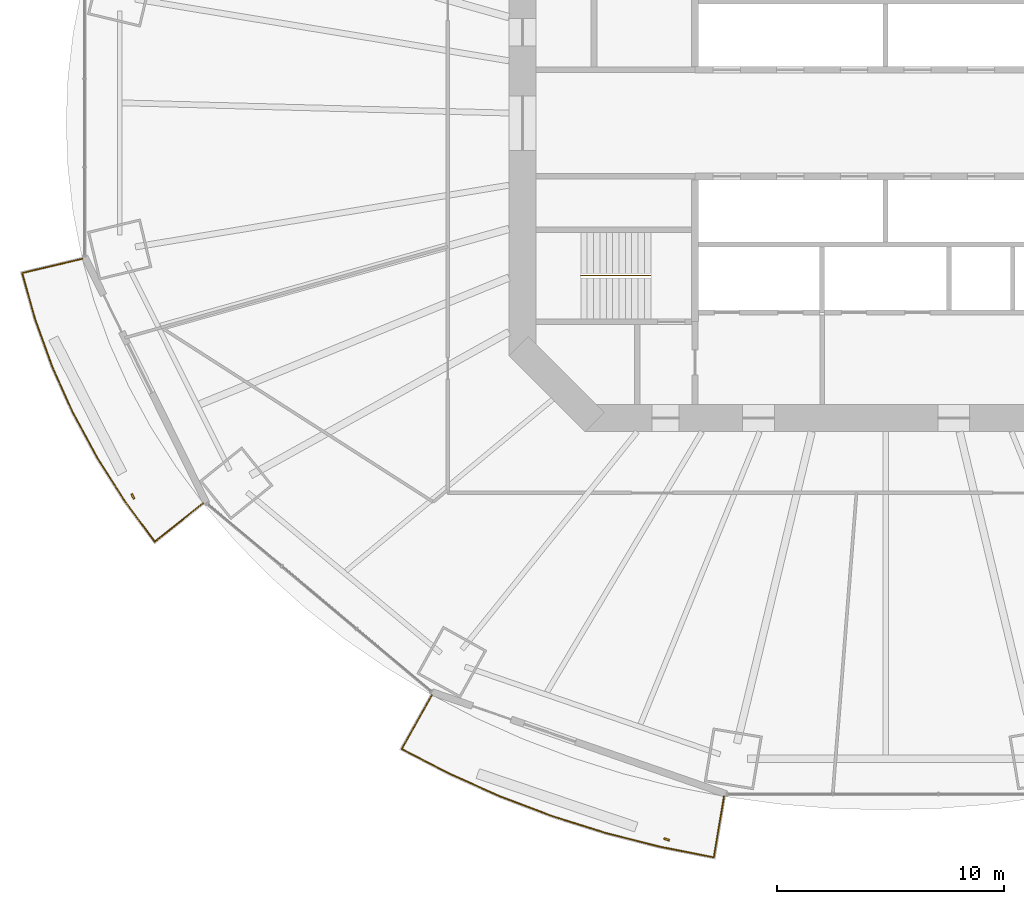
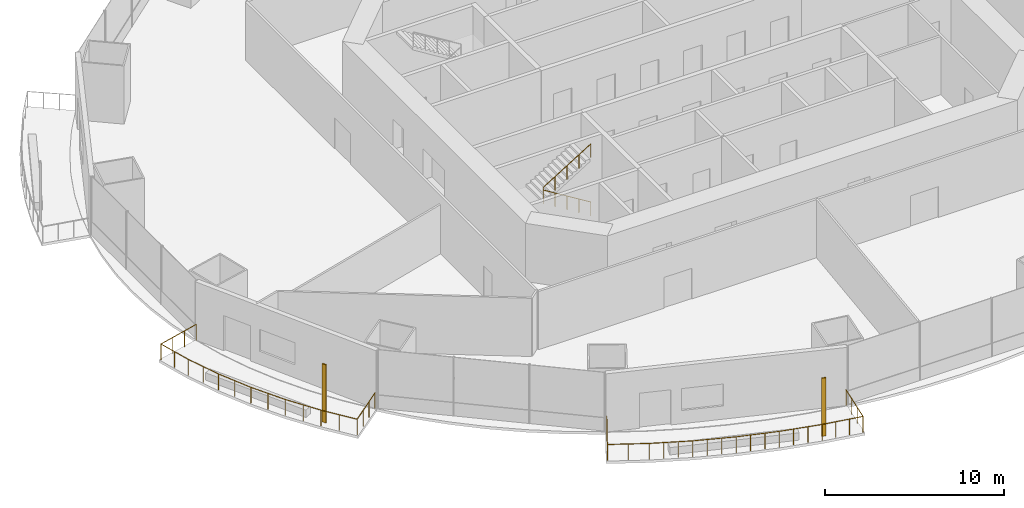
# One storey, part 18 of 23: 3 railings, 2 shading devices.
"""IFC4 building model written with IfcOpenShell, lengths in metres."""

import ifcopenshell
import ifcopenshell.guid

model = None  # the IFC model being written
_history = None  # IfcOwnerHistory: only IFC2X3 demands one
_inside = {}  # id of a spatial element -> (the spatial element, [elements in it])
_under = {}  # id of a project, library or spatial element -> (it, [spatial elements below it])
_declared = {}  # id of a project -> (the project, [libraries it declares])
_typed = {}  # id of a type object -> (the type object, [elements of that type])
_made_of = {}  # id of a material, layer set ... -> (it, [elements and type objects made of it])


def new_model(schema):
    """Start an empty IFC model of exactly this schema.

    Asked for "IFC4X3", IfcOpenShell would pick the latest addendum, in which some entities
    have other attributes; the version numbers below select the first issue.
    IFC2X3 requires an IfcOwnerHistory on every rooted entity: one is made here for all.
    """
    global model, _history
    if schema == "IFC4X3":
        model = ifcopenshell.file(schema_version=(4, 3, 0, 0))
    else:
        model = ifcopenshell.file(schema=schema)
    _inside.clear()
    _under.clear()
    _declared.clear()
    _typed.clear()
    _made_of.clear()
    _history = None
    if model.schema == "IFC2X3":
        org = make("IfcOrganization", Name="unknown")
        user = make(
            "IfcPersonAndOrganization",
            ThePerson=make("IfcPerson", FamilyName="unknown"),
            TheOrganization=org,
        )
        app = make(
            "IfcApplication",
            ApplicationDeveloper=org,
            Version="unknown",
            ApplicationFullName="unknown",
            ApplicationIdentifier="unknown",
        )
        _history = make(
            "IfcOwnerHistory",
            OwningUser=user,
            OwningApplication=app,
            ChangeAction="ADDED",
            CreationDate=0,
        )
    return model


def make(cls, **values):
    """One entity of the class cls with the attributes given. An attribute that is None is left unset."""
    return model.create_entity(
        cls, **{name: value for name, value in values.items() if value is not None}
    )


def rooted(cls, **values):
    """An entity with a GlobalId (a new one), such as an element, a storey or a relation."""
    return make(cls, GlobalId=ifcopenshell.guid.new(), OwnerHistory=_history, **values)


def si_unit(unit_type, name, prefix=None):
    """IfcSIUnit, for example si_unit("LENGTHUNIT", "METRE", prefix="MILLI")."""
    return make("IfcSIUnit", UnitType=unit_type, Prefix=prefix, Name=name)


def assignment(units):
    """IfcUnitAssignment: the units of a project."""
    return None if units is None else make("IfcUnitAssignment", Units=units)


def point(xyz):
    """IfcCartesianPoint."""
    return None if xyz is None else make("IfcCartesianPoint", Coordinates=xyz)


def direction(xyz):
    """IfcDirection."""
    return None if xyz is None else make("IfcDirection", DirectionRatios=xyz)


def frame(location, z_axis=None, x_axis=None):
    """IfcAxis2Placement3D, a coordinate frame: its origin and axes. An axis left out is left unset."""
    return make(
        "IfcAxis2Placement3D",
        Location=point(location),
        Axis=direction(z_axis),
        RefDirection=direction(x_axis),
    )


def frame_2d(location, x_axis=None):
    """IfcAxis2Placement2D, a coordinate frame in the plane: its origin and x axis."""
    return make(
        "IfcAxis2Placement2D", Location=point(location), RefDirection=direction(x_axis)
    )


def origin():
    """The frame at (0, 0, 0) with its axes left unset."""
    return frame((0.0, 0.0, 0.0))


def origin_2d():
    """The frame at (0, 0) in the plane with its x axis left unset."""
    return frame_2d((0.0, 0.0))


def place(relative_to, where):
    """IfcLocalPlacement: puts the frame where relative to a parent placement (None: the world)."""
    return make(
        "IfcLocalPlacement", PlacementRelTo=relative_to, RelativePlacement=where
    )


def context(
    kind, dimensions, precision=None, world=None, true_north=None, identifier=None
):
    """IfcGeometricRepresentationContext, for example the 3D "Model" context."""
    return make(
        "IfcGeometricRepresentationContext",
        ContextIdentifier=identifier,
        ContextType=kind,
        CoordinateSpaceDimension=dimensions,
        Precision=precision,
        WorldCoordinateSystem=world,
        TrueNorth=true_north,
    )


def subcontext(parent, identifier, kind, view, scale=None):
    """IfcGeometricRepresentationSubContext, for example "Body" below "Model"."""
    return make(
        "IfcGeometricRepresentationSubContext",
        ContextIdentifier=identifier,
        ContextType=kind,
        ParentContext=parent,
        TargetScale=scale,
        TargetView=view,
    )


def project(units=None, contexts=None):
    """IfcProject with its units and contexts."""
    return rooted(
        "IfcProject",
        Name="project",
        RepresentationContexts=contexts,
        UnitsInContext=assignment(units),
    )


def spatial(cls, under=None, at=None, **own):
    """A site, building, storey or space (cls), placed at a placement, below another one or the project."""
    s = rooted(cls, ObjectPlacement=at, **own)
    if under is not None:
        _under.setdefault(under.id(), (under, []))[1].append(s)
    return s


def profile(cls, at=None, kind="AREA", **sizes):
    """A parametric profile (cls). Its sizes go by their IFC names, for example OverallWidth=200.0."""
    return make(cls, ProfileType=kind, Position=at, **sizes)


def rectangle(**sizes):
    """IfcRectangleProfileDef."""
    return profile("IfcRectangleProfileDef", **sizes)


def circle(**sizes):
    """IfcCircleProfileDef."""
    return profile("IfcCircleProfileDef", **sizes)


def extrude(swept, where, along, depth):
    """IfcExtrudedAreaSolid: the profile swept, set in the frame where, extruded along a direction by depth."""
    return make(
        "IfcExtrudedAreaSolid",
        SweptArea=swept,
        Position=where,
        ExtrudedDirection=direction(along),
        Depth=depth,
    )


def shape(context_of_items, identifier, shape_type, items):
    """IfcShapeRepresentation: the items that make up one representation, for example the "Body"."""
    return make(
        "IfcShapeRepresentation",
        ContextOfItems=context_of_items,
        RepresentationIdentifier=identifier,
        RepresentationType=shape_type,
        Items=items,
    )


def material(Name=None, Category=None):
    """IfcMaterial."""
    return make("IfcMaterial", Name=Name, Category=Category)


def material_profile(
    of_material, cross_section, Name=None, Category=None, Priority=None
):
    """IfcMaterialProfile: a cross section and its material."""
    return make(
        "IfcMaterialProfile",
        Name=Name,
        Material=of_material,
        Profile=cross_section,
        Priority=Priority,
        Category=Category,
    )


def profile_set(profiles, Name=None, composite=None):
    """IfcMaterialProfileSet."""
    return make(
        "IfcMaterialProfileSet",
        Name=Name,
        MaterialProfiles=profiles,
        CompositeProfile=composite,
    )


def made_of(thing, what):
    """Note that an element or type object is made of a material, layer set ...; save() writes the relation."""
    if what is not None:
        _made_of.setdefault(what.id(), (what, []))[1].append(thing)
    return thing


def type_object(cls, material=None, **own):
    """A type object (cls), such as IfcWallType, which elements share."""
    return made_of(rooted(cls, **own), material)


def element(
    cls,
    number,
    at=None,
    inside=None,
    cuts=None,
    type_object=None,
    material=None,
    context=None,
    identifier="Body",
    shape_type=None,
    held_by="IfcProductDefinitionShape",
    body=None,
    shapes=None,
    **own,
):
    """One element of the class cls, such as IfcWall. Its Tag is "e" and its number.

    at: its placement. inside: the storey or other place that contains it. cuts: it is an
    opening in that element (IfcRelVoidsElement). A single representation is given by context,
    identifier, shape_type and body (its items); several are given by shapes. held_by: the class
    of the entity that holds the representations. save() writes the other relations.
    """
    e = rooted(cls, Tag="e%d" % number, ObjectPlacement=at, **own)
    if body is not None:
        shapes = [shape(context, identifier, shape_type, body)]
    if shapes is not None:
        e.Representation = make(held_by, Representations=shapes)
    if inside is not None:
        _inside.setdefault(inside.id(), (inside, []))[1].append(e)
    if cuts is not None:
        rooted(
            "IfcRelVoidsElement", RelatingBuildingElement=cuts, RelatedOpeningElement=e
        )
    if type_object is not None:
        _typed.setdefault(type_object.id(), (type_object, []))[1].append(e)
    return made_of(e, material)


def aggregate(whole, parts):
    """IfcRelAggregates: a whole, such as a stair, and the parts it consists of."""
    return rooted("IfcRelAggregates", RelatingObject=whole, RelatedObjects=parts)


def save(model, path):
    """Write the relations noted so far, then the file.

    IfcRelAggregates (storeys below a building ...), IfcRelContainedInSpatialStructure (elements
    in a storey), IfcRelDefinesByType, IfcRelAssociatesMaterial and IfcRelDeclares: one each for
    every whole, place, type object, material and project.
    """
    for whole, parts in _under.values():
        aggregate(whole, parts)
    for where, things in _inside.values():
        rooted(
            "IfcRelContainedInSpatialStructure",
            RelatedElements=things,
            RelatingStructure=where,
        )
    for kind, things in _typed.values():
        rooted("IfcRelDefinesByType", RelatedObjects=things, RelatingType=kind)
    for what, things in _made_of.values():
        rooted("IfcRelAssociatesMaterial", RelatedObjects=things, RelatingMaterial=what)
    for by, libraries in _declared.values():
        rooted("IfcRelDeclares", RelatingContext=by, RelatedDefinitions=libraries)
    model.write(path)


model = new_model("IFC4")

# Units and contexts
model_context = context("Model", 3, precision=1e-05, world=origin(), true_north=direction((0.0, 1.0)))
body_context = subcontext(model_context, "Body", "Model", "MODEL_VIEW")
ifc_project = project(units=[si_unit("LENGTHUNIT", "METRE"), si_unit("AREAUNIT", "SQUARE_METRE"), si_unit("VOLUMEUNIT", "CUBIC_METRE"), si_unit("PLANEANGLEUNIT", "RADIAN"), si_unit("MASSUNIT", "GRAM", prefix="KILO")], contexts=[model_context])

# Site, building, storey
site_placement = place(None, origin())
site = spatial("IfcSite", under=ifc_project, at=site_placement, CompositionType="ELEMENT")
building_placement = place(site_placement, origin())
building = spatial("IfcBuilding", under=site, at=building_placement, Name="Marenthal Gate Tower", CompositionType="ELEMENT")
storey_placement = place(building_placement, frame((0.0, 0.0, 57.89990234375)))
storey = spatial("IfcBuildingStorey", under=building, at=storey_placement, Name="L10", CompositionType="ELEMENT", Elevation=57.89990234375)

# Railings
ifc_material_1 = material(Name="Stainless steel", Category="steel")
railing_type_1 = type_object("IfcRailingType", Name="Balcony guard 1100", PredefinedType="GUARDRAIL", material=ifc_material_1)
railing_1_placement = place(storey_placement, frame((-30.078369140625, -16.754150390625, 0.0)))
element("IfcRailing", 1, at=railing_1_placement, inside=storey, type_object=railing_type_1, Name="Balcony guard L10 bay 9", PredefinedType="GUARDRAIL", context=body_context, shape_type="SweptSolid", body=[
    extrude(circle(Radius=0.02392578125, at=origin_2d()), frame((0.0, 0.0, 1.076171875), z_axis=(-0.782105703361, -0.622974028807, -0.014629702737), x_axis=(0.623040706516, -0.782189413137, 0.0)), (0.0, 0.0, 1.0), 2.72021484375),
    extrude(circle(Radius=0.02392578125, at=origin_2d()), frame((-2.12744140625, -1.694580078125, 1.0361328125), z_axis=(-0.59484873049, 0.803837662613, 0.0), x_axis=(-0.803837662613, -0.59484873049, 0.0)), (0.0, 0.0, 1.0), 2.204345703125),
    extrude(circle(Radius=0.02392578125, at=origin_2d()), frame((-3.438720703125, 0.077392578125, 1.0361328125), z_axis=(-0.537628198706, 0.843182020655, 0.0), x_axis=(-0.843182020655, -0.537628198706, 0.0)), (0.0, 0.0, 1.0), 2.26611328125),
    extrude(circle(Radius=0.02392578125, at=origin_2d()), frame((-4.656982421875, 1.988037109375, 1.0361328125), z_axis=(-0.475471623431, 0.879731058513, 0.0), x_axis=(-0.879731058513, -0.475471623431, 0.0)), (0.0, 0.0, 1.0), 2.2490234375),
    extrude(circle(Radius=0.02392578125, at=origin_2d()), frame((-5.726318359375, 3.966552734375, 1.0361328125), z_axis=(-0.40966465878, 0.912236190549, 0.0), x_axis=(-0.912236190549, -0.40966465878, 0.0)), (0.0, 0.0, 1.0), 2.233642578125),
    extrude(circle(Radius=0.02392578125, at=origin_2d()), frame((-6.641357421875, 6.004150390625, 1.0361328125), z_axis=(-0.340268465621, 0.94032833165, 0.0), x_axis=(-0.94032833165, -0.340268465621, 0.0)), (0.0, 0.0, 1.0), 2.220703125),
    extrude(circle(Radius=0.02392578125, at=origin_2d()), frame((-7.39697265625, 8.09228515625, 1.0361328125), z_axis=(-0.269464118276, 0.96301043035, 0.0), x_axis=(-0.96301043035, -0.269464118276, 0.0)), (0.0, 0.0, 1.0), 2.130126953125),
    extrude(circle(Radius=0.02392578125, at=origin_2d()), frame((-7.970947265625, 10.1435546875, 1.0361328125), z_axis=(0.97292794726, 0.230645219487, 0.014628471119), x_axis=(-0.230669901584, 0.973032063451, 0.0)), (0.0, 0.0, 1.0), 2.720458984375),
    extrude(circle(Radius=0.02099609375, at=origin_2d()), origin(), (0.0, 0.0, 1.0), 1.052001953125),
    extrude(circle(Radius=0.02099609375, at=origin_2d()), frame((-0.709228515625, -0.56494140625, -0.01318359375)), (0.0, 0.0, 1.0), 1.052001953125),
    extrude(circle(Radius=0.02099609375, at=origin_2d()), frame((-1.418212890625, -1.129638671875, -0.026611328125)), (0.0, 0.0, 1.0), 1.052001953125),
    extrude(circle(Radius=0.02099609375, at=origin_2d()), frame((-2.12744140625, -1.694580078125, -0.039794921875)), (0.0, 0.0, 1.0), 1.052001953125),
    extrude(circle(Radius=0.02099609375, at=origin_2d()), frame((-2.783203125, -0.80859375, -0.039794921875)), (0.0, 0.0, 1.0), 1.052001953125),
    extrude(circle(Radius=0.02099609375, at=origin_2d()), frame((-3.438720703125, 0.077392578125, -0.039794921875)), (0.0, 0.0, 1.0), 1.052001953125),
    extrude(circle(Radius=0.02099609375, at=origin_2d()), frame((-4.0478515625, 1.03271484375, -0.039794921875)), (0.0, 0.0, 1.0), 1.052001953125),
    extrude(circle(Radius=0.02099609375, at=origin_2d()), frame((-4.656982421875, 1.988037109375, -0.039794921875)), (0.0, 0.0, 1.0), 1.052001953125),
    extrude(circle(Radius=0.02099609375, at=origin_2d()), frame((-5.191650390625, 2.977294921875, -0.039794921875)), (0.0, 0.0, 1.0), 1.052001953125),
    extrude(circle(Radius=0.02099609375, at=origin_2d()), frame((-5.726318359375, 3.966552734375, -0.039794921875)), (0.0, 0.0, 1.0), 1.052001953125),
    extrude(circle(Radius=0.02099609375, at=origin_2d()), frame((-6.183837890625, 4.9853515625, -0.039794921875)), (0.0, 0.0, 1.0), 1.052001953125),
    extrude(circle(Radius=0.02099609375, at=origin_2d()), frame((-6.641357421875, 6.004150390625, -0.039794921875)), (0.0, 0.0, 1.0), 1.052001953125),
    extrude(circle(Radius=0.02099609375, at=origin_2d()), frame((-7.01904296875, 7.04833984375, -0.039794921875)), (0.0, 0.0, 1.0), 1.052001953125),
    extrude(circle(Radius=0.02099609375, at=origin_2d()), frame((-7.39697265625, 8.09228515625, -0.039794921875)), (0.0, 0.0, 1.0), 1.052001953125),
    extrude(circle(Radius=0.02099609375, at=origin_2d()), frame((-7.68408203125, 9.117919921875, -0.039794921875)), (0.0, 0.0, 1.0), 1.052001953125),
    extrude(circle(Radius=0.02099609375, at=origin_2d()), frame((-7.970947265625, 10.1435546875, -0.039794921875)), (0.0, 0.0, 1.0), 1.052001953125),
    extrude(circle(Radius=0.02099609375, at=origin_2d()), frame((-7.088623046875, 10.352783203125, -0.026611328125)), (0.0, 0.0, 1.0), 1.052001953125),
    extrude(circle(Radius=0.02099609375, at=origin_2d()), frame((-6.20654296875, 10.561767578125, -0.01318359375)), (0.0, 0.0, 1.0), 1.052001953125),
    extrude(circle(Radius=0.02099609375, at=origin_2d()), frame((-5.32421875, 10.77099609375, 0.0)), (0.0, 0.0, 1.0), 1.052001953125),
])
railing_2_placement = place(storey_placement, frame((-7.12451171875, -29.67431640625, 0.0)))
element("IfcRailing", 2, at=railing_2_placement, inside=storey, type_object=railing_type_1, Name="Balcony guard L10 bay 11", PredefinedType="GUARDRAIL", context=body_context, shape_type="SweptSolid", body=[
    extrude(circle(Radius=0.02392578125, at=origin_2d()), frame((0.0, 0.0, 1.076171875), z_axis=(-0.164599699224, -0.98625196007, -0.014629089953), x_axis=(0.986357511038, -0.164617315064, 0.0)), (0.0, 0.0, 1.0), 2.72021484375),
    extrude(circle(Radius=0.02392578125, at=origin_2d()), frame((-0.44775390625, -2.682861328125, 1.0361328125), z_axis=(-0.981247114518, 0.192753988932, 0.0), x_axis=(-0.192753988932, -0.981247114518, 0.0)), (0.0, 0.0, 1.0), 2.416748046875),
    extrude(circle(Radius=0.02392578125, at=origin_2d()), frame((-2.819091796875, -2.217041015625, 1.0361328125), z_axis=(-0.969164557422, 0.24641440834, 0.0), x_axis=(-0.24641440834, -0.969164557422, 0.0)), (0.0, 0.0, 1.0), 2.48681640625),
    extrude(circle(Radius=0.02392578125, at=origin_2d()), frame((-5.229248046875, -1.604248046875, 1.0361328125), z_axis=(-0.953670609563, 0.300852735495, 0.0), x_axis=(-0.300852735495, -0.953670609563, 0.0)), (0.0, 0.0, 1.0), 2.474365234375),
    extrude(circle(Radius=0.02392578125, at=origin_2d()), frame((-7.5888671875, -0.85986328125, 1.0361328125), z_axis=(-0.934856725019, 0.355025215564, 0.0), x_axis=(-0.355025215564, -0.934856725019, 0.0)), (0.0, 0.0, 1.0), 2.459716796875),
    extrude(circle(Radius=0.02392578125, at=origin_2d()), frame((-9.888427734375, 0.013427734375, 1.0361328125), z_axis=(-0.912604464389, 0.408843602833, 0.0), x_axis=(-0.408843602833, -0.912604464389, 0.0)), (0.0, 0.0, 1.0), 2.443603515625),
    extrude(circle(Radius=0.02392578125, at=origin_2d()), frame((-12.118408203125, 1.012451171875, 1.0361328125), z_axis=(-0.887238949587, 0.461310141159, 0.0), x_axis=(-0.461310141159, -0.887238949587, 0.0)), (0.0, 0.0, 1.0), 2.34619140625),
    extrude(circle(Radius=0.02392578125, at=origin_2d()), frame((-14.199951171875, 2.0947265625, 1.0361328125), z_axis=(0.488848937096, 0.872245790276, 0.014628672067), x_axis=(-0.872339134705, 0.488901251851, 0.0)), (0.0, 0.0, 1.0), 2.720458984375),
    extrude(circle(Radius=0.02099609375, at=origin_2d()), origin(), (0.0, 0.0, 1.0), 1.052001953125),
    extrude(circle(Radius=0.02099609375, at=origin_2d()), frame((-0.149169921875, -0.894287109375, -0.01318359375)), (0.0, 0.0, 1.0), 1.052001953125),
    extrude(circle(Radius=0.02099609375, at=origin_2d()), frame((-0.298583984375, -1.78857421875, -0.026611328125)), (0.0, 0.0, 1.0), 1.052001953125),
    extrude(circle(Radius=0.02099609375, at=origin_2d()), frame((-0.44775390625, -2.682861328125, -0.039794921875)), (0.0, 0.0, 1.0), 1.052001953125),
    extrude(circle(Radius=0.02099609375, at=origin_2d()), frame((-1.23828125, -2.527587890625, -0.039794921875)), (0.0, 0.0, 1.0), 1.052001953125),
    extrude(circle(Radius=0.02099609375, at=origin_2d()), frame((-2.028564453125, -2.372314453125, -0.039794921875)), (0.0, 0.0, 1.0), 1.052001953125),
    extrude(circle(Radius=0.02099609375, at=origin_2d()), frame((-2.819091796875, -2.217041015625, -0.039794921875)), (0.0, 0.0, 1.0), 1.052001953125),
    extrude(circle(Radius=0.02099609375, at=origin_2d()), frame((-3.62255859375, -2.0126953125, -0.039794921875)), (0.0, 0.0, 1.0), 1.052001953125),
    extrude(circle(Radius=0.02099609375, at=origin_2d()), frame((-4.42578125, -1.80859375, -0.039794921875)), (0.0, 0.0, 1.0), 1.052001953125),
    extrude(circle(Radius=0.02099609375, at=origin_2d()), frame((-5.229248046875, -1.604248046875, -0.039794921875)), (0.0, 0.0, 1.0), 1.052001953125),
    extrude(circle(Radius=0.02099609375, at=origin_2d()), frame((-6.015869140625, -1.356201171875, -0.039794921875)), (0.0, 0.0, 1.0), 1.052001953125),
    extrude(circle(Radius=0.02099609375, at=origin_2d()), frame((-6.80224609375, -1.10791015625, -0.039794921875)), (0.0, 0.0, 1.0), 1.052001953125),
    extrude(circle(Radius=0.02099609375, at=origin_2d()), frame((-7.5888671875, -0.85986328125, -0.039794921875)), (0.0, 0.0, 1.0), 1.052001953125),
    extrude(circle(Radius=0.02099609375, at=origin_2d()), frame((-8.35546875, -0.56884765625, -0.039794921875)), (0.0, 0.0, 1.0), 1.052001953125),
    extrude(circle(Radius=0.02099609375, at=origin_2d()), frame((-9.121826171875, -0.277587890625, -0.039794921875)), (0.0, 0.0, 1.0), 1.052001953125),
    extrude(circle(Radius=0.02099609375, at=origin_2d()), frame((-9.888427734375, 0.013427734375, -0.039794921875)), (0.0, 0.0, 1.0), 1.052001953125),
    extrude(circle(Radius=0.02099609375, at=origin_2d()), frame((-10.6318359375, 0.346435546875, -0.039794921875)), (0.0, 0.0, 1.0), 1.052001953125),
    extrude(circle(Radius=0.02099609375, at=origin_2d()), frame((-11.375, 0.679443359375, -0.039794921875)), (0.0, 0.0, 1.0), 1.052001953125),
    extrude(circle(Radius=0.02099609375, at=origin_2d()), frame((-12.118408203125, 1.012451171875, -0.039794921875)), (0.0, 0.0, 1.0), 1.052001953125),
    extrude(circle(Radius=0.02099609375, at=origin_2d()), frame((-13.1591796875, 1.5537109375, -0.039794921875)), (0.0, 0.0, 1.0), 1.052001953125),
    extrude(circle(Radius=0.02099609375, at=origin_2d()), frame((-14.199951171875, 2.0947265625, -0.039794921875)), (0.0, 0.0, 1.0), 1.052001953125),
    extrude(circle(Radius=0.02099609375, at=origin_2d()), frame((-13.756591796875, 2.8857421875, -0.026611328125)), (0.0, 0.0, 1.0), 1.052001953125),
    extrude(circle(Radius=0.02099609375, at=origin_2d()), frame((-13.3134765625, 3.676513671875, -0.01318359375)), (0.0, 0.0, 1.0), 1.052001953125),
    extrude(circle(Radius=0.02099609375, at=origin_2d()), frame((-12.8701171875, 4.467529296875, 0.0)), (0.0, 0.0, 1.0), 1.052001953125),
])
ifc_material_2 = material(Name="Stainless steel", Category="steel")
railing_type_2 = type_object("IfcRailingType", Name="Stair handrail", PredefinedType="HANDRAIL", material=ifc_material_2)
railing_3_placement = place(storey_placement, frame((-10.35009765625, -6.72509765625, 0.173095703125)))
element("IfcRailing", 3, at=railing_3_placement, inside=storey, type_object=railing_type_2, Name="Handrail ST2", PredefinedType="HANDRAIL", context=body_context, shape_type="SweptSolid", body=[
    extrude(circle(Radius=0.0224609375, at=origin_2d()), frame((0.0, 0.0, 0.927490234375), z_axis=(-0.850816621229, 0.0, 0.525462726595), x_axis=(0.0, -1.0, 0.0)), (0.0, 0.0, 1.0), 3.619873046875),
    extrude(circle(Radius=0.0224609375, at=origin_2d()), frame((-3.079833984375, 0.0, 2.82958984375), z_axis=(0.0, 0.0, 1.0), x_axis=(1.0, 0.0, 0.0)), (0.0, 0.0, 1.0), 0.1728515625),
    extrude(circle(Radius=0.0224609375, at=origin_2d()), frame((-3.079833984375, 0.0, 3.00244140625), z_axis=(0.850816621229, 0.0, 0.525462726595), x_axis=(0.0, 1.0, 0.0)), (0.0, 0.0, 1.0), 3.619873046875),
    extrude(circle(Radius=0.02001953125, at=origin_2d()), origin(), (0.0, 0.0, 1.0), 0.905029296875),
    extrude(circle(Radius=0.02001953125, at=origin_2d()), frame((-0.77001953125, 0.0, 0.4755859375)), (0.0, 0.0, 1.0), 0.905029296875),
    extrude(circle(Radius=0.02001953125, at=origin_2d()), frame((-1.5400390625, 0.0, 0.951171875)), (0.0, 0.0, 1.0), 0.905029296875),
    extrude(circle(Radius=0.02001953125, at=origin_2d()), frame((-2.309814453125, 0.0, 1.426513671875)), (0.0, 0.0, 1.0), 0.905029296875),
    extrude(circle(Radius=0.02001953125, at=origin_2d()), frame((-3.079833984375, 0.0, 1.902099609375)), (0.0, 0.0, 1.0), 0.905029296875),
    extrude(circle(Radius=0.02001953125, at=origin_2d()), frame((-3.079833984375, 0.0, 2.074951171875)), (0.0, 0.0, 1.0), 0.905029296875),
    extrude(circle(Radius=0.02001953125, at=origin_2d()), frame((-2.309814453125, 0.0, 2.550537109375)), (0.0, 0.0, 1.0), 0.905029296875),
    extrude(circle(Radius=0.02001953125, at=origin_2d()), frame((-1.5400390625, 0.0, 3.02587890625)), (0.0, 0.0, 1.0), 0.905029296875),
    extrude(circle(Radius=0.02001953125, at=origin_2d()), frame((-0.77001953125, 0.0, 3.50146484375)), (0.0, 0.0, 1.0), 0.905029296875),
    extrude(circle(Radius=0.02001953125, at=origin_2d()), frame((0.0, 0.0, 3.97705078125)), (0.0, 0.0, 1.0), 0.905029296875),
])

# Shading devices
ifc_material_3 = material(Name="Terracotta", Category="masonry")
ifc_material_profile = material_profile(ifc_material_3, rectangle(XDim=0.25, YDim=0.080078125, at=origin_2d()), Name="Terracotta baguette 250x80")
ifc_profile_set = profile_set([ifc_material_profile], Name="Terracotta")
shading_device_type = type_object("IfcShadingDeviceType", Name="Terracotta BAGUETTE SCREEN 250x80", PredefinedType="USERDEFINED", material=ifc_profile_set)
for number, where, z_axis, x_axis, name in (
    (4, (-33.17041015625, -16.453125, -0.039794921875), (0.0, 0.0, 1.0), (0.442993196296, -0.896524973459, 0.0), "Terracotta BAGUETTE L10 bay 9R"),
    (5, (-9.651123046875, -31.56787109375, -0.039794921875), (0.0, 0.0, 1.0), (0.944672154092, -0.32801603815, 0.0), "Terracotta BAGUETTE L10 bay 11R"),
):
    element("IfcShadingDevice", number, at=place(storey_placement, frame(where, z_axis=z_axis, x_axis=x_axis)), inside=storey, type_object=shading_device_type, Name=name, ObjectType="BAGUETTE SCREEN", PredefinedType="USERDEFINED", context=body_context, shape_type="SweptSolid", body=[
        extrude(rectangle(XDim=0.25, YDim=0.080078125, at=origin_2d()), origin(), (0.0, 0.0, 1.0), 3.969970703125),
    ])

save(model, "model.ifc")
